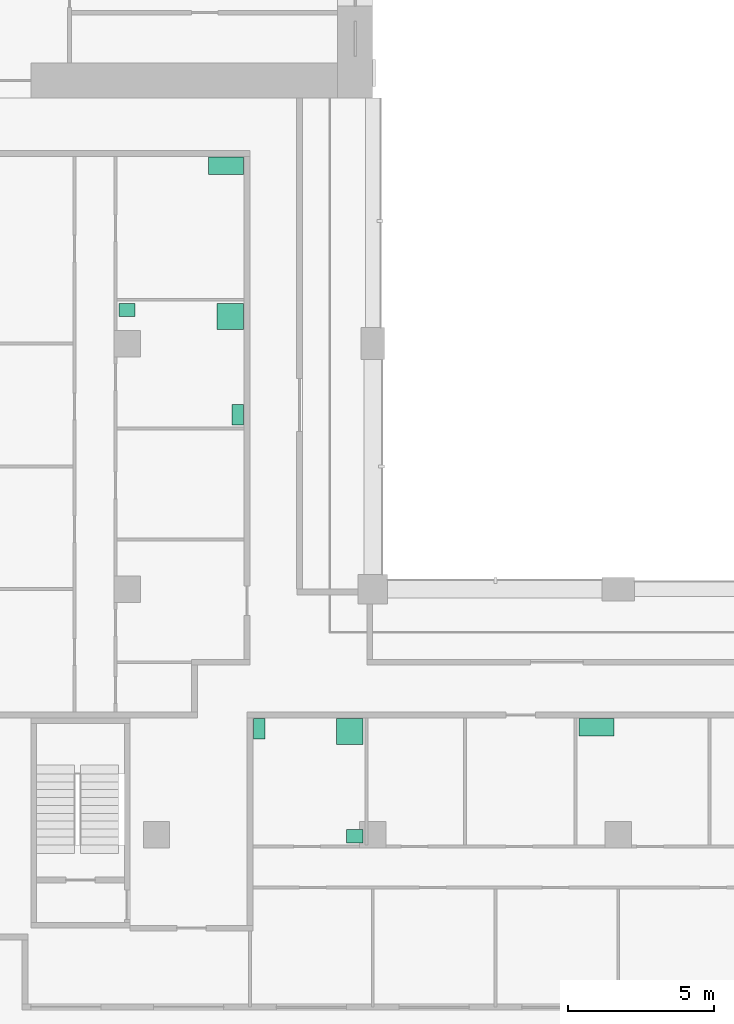
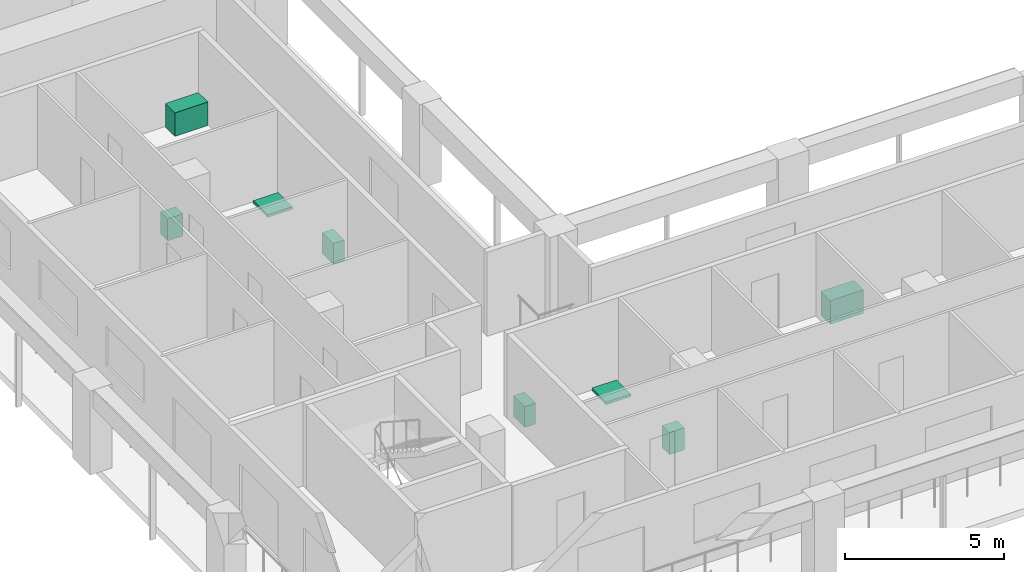
# One storey, part 9 of 9: 8 sanitary terminals.
"""IFC4 building model written with IfcOpenShell, lengths in metres."""

import ifcopenshell
import ifcopenshell.guid

model = None  # the IFC model being written
_history = None  # IfcOwnerHistory: only IFC2X3 demands one
_inside = {}  # id of a spatial element -> (the spatial element, [elements in it])
_under = {}  # id of a project, library or spatial element -> (it, [spatial elements below it])
_declared = {}  # id of a project -> (the project, [libraries it declares])
_typed = {}  # id of a type object -> (the type object, [elements of that type])
_made_of = {}  # id of a material, layer set ... -> (it, [elements and type objects made of it])


def new_model(schema):
    """Start an empty IFC model of exactly this schema.

    Asked for "IFC4X3", IfcOpenShell would pick the latest addendum, in which some entities
    have other attributes; the version numbers below select the first issue.
    IFC2X3 requires an IfcOwnerHistory on every rooted entity: one is made here for all.
    """
    global model, _history
    if schema == "IFC4X3":
        model = ifcopenshell.file(schema_version=(4, 3, 0, 0))
    else:
        model = ifcopenshell.file(schema=schema)
    _inside.clear()
    _under.clear()
    _declared.clear()
    _typed.clear()
    _made_of.clear()
    _history = None
    if model.schema == "IFC2X3":
        org = make("IfcOrganization", Name="unknown")
        user = make(
            "IfcPersonAndOrganization",
            ThePerson=make("IfcPerson", FamilyName="unknown"),
            TheOrganization=org,
        )
        app = make(
            "IfcApplication",
            ApplicationDeveloper=org,
            Version="unknown",
            ApplicationFullName="unknown",
            ApplicationIdentifier="unknown",
        )
        _history = make(
            "IfcOwnerHistory",
            OwningUser=user,
            OwningApplication=app,
            ChangeAction="ADDED",
            CreationDate=0,
        )
    return model


def make(cls, **values):
    """One entity of the class cls with the attributes given. An attribute that is None is left unset."""
    return model.create_entity(
        cls, **{name: value for name, value in values.items() if value is not None}
    )


def rooted(cls, **values):
    """An entity with a GlobalId (a new one), such as an element, a storey or a relation."""
    return make(cls, GlobalId=ifcopenshell.guid.new(), OwnerHistory=_history, **values)


def si_unit(unit_type, name, prefix=None):
    """IfcSIUnit, for example si_unit("LENGTHUNIT", "METRE", prefix="MILLI")."""
    return make("IfcSIUnit", UnitType=unit_type, Prefix=prefix, Name=name)


def assignment(units):
    """IfcUnitAssignment: the units of a project."""
    return None if units is None else make("IfcUnitAssignment", Units=units)


def point(xyz):
    """IfcCartesianPoint."""
    return None if xyz is None else make("IfcCartesianPoint", Coordinates=xyz)


def direction(xyz):
    """IfcDirection."""
    return None if xyz is None else make("IfcDirection", DirectionRatios=xyz)


def frame(location, z_axis=None, x_axis=None):
    """IfcAxis2Placement3D, a coordinate frame: its origin and axes. An axis left out is left unset."""
    return make(
        "IfcAxis2Placement3D",
        Location=point(location),
        Axis=direction(z_axis),
        RefDirection=direction(x_axis),
    )


def frame_2d(location, x_axis=None):
    """IfcAxis2Placement2D, a coordinate frame in the plane: its origin and x axis."""
    return make(
        "IfcAxis2Placement2D", Location=point(location), RefDirection=direction(x_axis)
    )


def origin():
    """The frame at (0, 0, 0) with its axes left unset."""
    return frame((0.0, 0.0, 0.0))


def origin_2d():
    """The frame at (0, 0) in the plane with its x axis left unset."""
    return frame_2d((0.0, 0.0))


def place(relative_to, where):
    """IfcLocalPlacement: puts the frame where relative to a parent placement (None: the world)."""
    return make(
        "IfcLocalPlacement", PlacementRelTo=relative_to, RelativePlacement=where
    )


def context(
    kind, dimensions, precision=None, world=None, true_north=None, identifier=None
):
    """IfcGeometricRepresentationContext, for example the 3D "Model" context."""
    return make(
        "IfcGeometricRepresentationContext",
        ContextIdentifier=identifier,
        ContextType=kind,
        CoordinateSpaceDimension=dimensions,
        Precision=precision,
        WorldCoordinateSystem=world,
        TrueNorth=true_north,
    )


def subcontext(parent, identifier, kind, view, scale=None):
    """IfcGeometricRepresentationSubContext, for example "Body" below "Model"."""
    return make(
        "IfcGeometricRepresentationSubContext",
        ContextIdentifier=identifier,
        ContextType=kind,
        ParentContext=parent,
        TargetScale=scale,
        TargetView=view,
    )


def project(units=None, contexts=None):
    """IfcProject with its units and contexts."""
    return rooted(
        "IfcProject",
        Name="project",
        RepresentationContexts=contexts,
        UnitsInContext=assignment(units),
    )


def spatial(cls, under=None, at=None, **own):
    """A site, building, storey or space (cls), placed at a placement, below another one or the project."""
    s = rooted(cls, ObjectPlacement=at, **own)
    if under is not None:
        _under.setdefault(under.id(), (under, []))[1].append(s)
    return s


def profile(cls, at=None, kind="AREA", **sizes):
    """A parametric profile (cls). Its sizes go by their IFC names, for example OverallWidth=200.0."""
    return make(cls, ProfileType=kind, Position=at, **sizes)


def rectangle(**sizes):
    """IfcRectangleProfileDef."""
    return profile("IfcRectangleProfileDef", **sizes)


def extrude(swept, where, along, depth):
    """IfcExtrudedAreaSolid: the profile swept, set in the frame where, extruded along a direction by depth."""
    return make(
        "IfcExtrudedAreaSolid",
        SweptArea=swept,
        Position=where,
        ExtrudedDirection=direction(along),
        Depth=depth,
    )


def shape(context_of_items, identifier, shape_type, items):
    """IfcShapeRepresentation: the items that make up one representation, for example the "Body"."""
    return make(
        "IfcShapeRepresentation",
        ContextOfItems=context_of_items,
        RepresentationIdentifier=identifier,
        RepresentationType=shape_type,
        Items=items,
    )


def material(Name=None, Category=None):
    """IfcMaterial."""
    return make("IfcMaterial", Name=Name, Category=Category)


def made_of(thing, what):
    """Note that an element or type object is made of a material, layer set ...; save() writes the relation."""
    if what is not None:
        _made_of.setdefault(what.id(), (what, []))[1].append(thing)
    return thing


def element(
    cls,
    number,
    at=None,
    inside=None,
    cuts=None,
    type_object=None,
    material=None,
    context=None,
    identifier="Body",
    shape_type=None,
    held_by="IfcProductDefinitionShape",
    body=None,
    shapes=None,
    **own,
):
    """One element of the class cls, such as IfcWall. Its Tag is "e" and its number.

    at: its placement. inside: the storey or other place that contains it. cuts: it is an
    opening in that element (IfcRelVoidsElement). A single representation is given by context,
    identifier, shape_type and body (its items); several are given by shapes. held_by: the class
    of the entity that holds the representations. save() writes the other relations.
    """
    e = rooted(cls, Tag="e%d" % number, ObjectPlacement=at, **own)
    if body is not None:
        shapes = [shape(context, identifier, shape_type, body)]
    if shapes is not None:
        e.Representation = make(held_by, Representations=shapes)
    if inside is not None:
        _inside.setdefault(inside.id(), (inside, []))[1].append(e)
    if cuts is not None:
        rooted(
            "IfcRelVoidsElement", RelatingBuildingElement=cuts, RelatedOpeningElement=e
        )
    if type_object is not None:
        _typed.setdefault(type_object.id(), (type_object, []))[1].append(e)
    return made_of(e, material)


def aggregate(whole, parts):
    """IfcRelAggregates: a whole, such as a stair, and the parts it consists of."""
    return rooted("IfcRelAggregates", RelatingObject=whole, RelatedObjects=parts)


def save(model, path):
    """Write the relations noted so far, then the file.

    IfcRelAggregates (storeys below a building ...), IfcRelContainedInSpatialStructure (elements
    in a storey), IfcRelDefinesByType, IfcRelAssociatesMaterial and IfcRelDeclares: one each for
    every whole, place, type object, material and project.
    """
    for whole, parts in _under.values():
        aggregate(whole, parts)
    for where, things in _inside.values():
        rooted(
            "IfcRelContainedInSpatialStructure",
            RelatedElements=things,
            RelatingStructure=where,
        )
    for kind, things in _typed.values():
        rooted("IfcRelDefinesByType", RelatedObjects=things, RelatingType=kind)
    for what, things in _made_of.values():
        rooted("IfcRelAssociatesMaterial", RelatedObjects=things, RelatingMaterial=what)
    for by, libraries in _declared.values():
        rooted("IfcRelDeclares", RelatingContext=by, RelatedDefinitions=libraries)
    model.write(path)


model = new_model("IFC4")

# Units and contexts
model_context = context("Model", 3, precision=1e-05, world=origin(), true_north=direction((0.0, 1.0)))
body_context = subcontext(model_context, "Body", "Model", "MODEL_VIEW")
ifc_project = project(units=[si_unit("LENGTHUNIT", "METRE"), si_unit("AREAUNIT", "SQUARE_METRE"), si_unit("VOLUMEUNIT", "CUBIC_METRE"), si_unit("PLANEANGLEUNIT", "RADIAN"), si_unit("MASSUNIT", "GRAM", prefix="KILO")], contexts=[model_context])

# Site, building, storey
site_placement = place(None, origin())
site = spatial("IfcSite", under=ifc_project, at=site_placement, CompositionType="ELEMENT")
building_placement = place(site_placement, origin())
building = spatial("IfcBuilding", under=site, at=building_placement, Name="Vermilion Gate Residences", CompositionType="ELEMENT")
storey_placement = place(building_placement, frame((0.0, 0.0, 245.699951171875)))
storey = spatial("IfcBuildingStorey", under=building, at=storey_placement, Name="L64", CompositionType="ELEMENT", Elevation=245.699951171875)

# Sanitary terminals
ifc_material_1 = material(Name="Vitreous china")
sanitary_terminal_1_placement = place(storey_placement, frame((24.409912109375, 20.330078125, 0.0), z_axis=(0.0, 0.0, 1.0), x_axis=(1.0, 0.0, 0.0)))
element("IfcSanitaryTerminal", 1, at=sanitary_terminal_1_placement, inside=storey, material=ifc_material_1, Name="Shower tray", PredefinedType="SHOWER", context=body_context, shape_type="SweptSolid", body=[
    extrude(rectangle(XDim=0.89990234375, YDim=0.89990234375, at=origin_2d()), origin(), (0.0, 0.0, 1.0), 0.10009765625),
])
sanitary_terminal_2_placement = place(storey_placement, frame((21.320068359375, 20.429931640625, 0.0), z_axis=(0.0, 0.0, 1.0), x_axis=(1.0, 0.0, 0.0)))
element("IfcSanitaryTerminal", 2, at=sanitary_terminal_2_placement, inside=storey, material=ifc_material_1, Name="Toilet", PredefinedType="TOILETPAN", context=body_context, shape_type="SweptSolid", body=[
    extrude(rectangle(XDim=0.39990234375, YDim=0.699951171875, at=origin_2d()), origin(), (0.0, 0.0, 1.0), 0.800048828125),
])
sanitary_terminal_3_placement = place(storey_placement, frame((24.5849609375, 16.7451171875, 0.0), z_axis=(0.0, 0.0, 1.0), x_axis=(1.0, 0.0, 0.0)))
element("IfcSanitaryTerminal", 3, at=sanitary_terminal_3_placement, inside=storey, material=ifc_material_1, Name="Wash basin", PredefinedType="WASHHANDBASIN", context=body_context, shape_type="SweptSolid", body=[
    extrude(rectangle(XDim=0.550048828125, YDim=0.449951171875, at=origin_2d()), origin(), (0.0, 0.0, 1.0), 0.85009765625),
])
ifc_material_2 = material(Name="Stainless steel", Category="steel")
sanitary_terminal_4_placement = place(storey_placement, frame((32.860107421875, 20.47998046875, 0.0), z_axis=(0.0, 0.0, 1.0), x_axis=(1.0, 0.0, 0.0)))
element("IfcSanitaryTerminal", 4, at=sanitary_terminal_4_placement, inside=storey, material=ifc_material_2, Name="Kitchen sink", PredefinedType="SINK", context=body_context, shape_type="SweptSolid", body=[
    extrude(rectangle(XDim=1.199951171875, YDim=0.60009765625, at=origin_2d()), origin(), (0.0, 0.0, 1.0), 0.89990234375),
])
sanitary_terminal_5_placement = place(storey_placement, frame((20.330078125, 34.530029296875, 0.0), z_axis=(0.0, 0.0, 1.0), x_axis=(1.0, 0.0, 0.0)))
element("IfcSanitaryTerminal", 5, at=sanitary_terminal_5_placement, inside=storey, material=ifc_material_1, Name="Shower tray", PredefinedType="SHOWER", context=body_context, shape_type="SweptSolid", body=[
    extrude(rectangle(XDim=0.89990234375, YDim=0.89990234375, at=origin_2d()), origin(), (0.0, 0.0, 1.0), 0.10009765625),
])
sanitary_terminal_6_placement = place(storey_placement, frame((20.580078125, 31.169921875, 0.0), z_axis=(0.0, 0.0, 1.0), x_axis=(1.0, 0.0, 0.0)))
element("IfcSanitaryTerminal", 6, at=sanitary_terminal_6_placement, inside=storey, material=ifc_material_1, Name="Toilet", PredefinedType="TOILETPAN", context=body_context, shape_type="SweptSolid", body=[
    extrude(rectangle(XDim=0.39990234375, YDim=0.699951171875, at=origin_2d()), origin(), (0.0, 0.0, 1.0), 0.800048828125),
])
sanitary_terminal_7_placement = place(storey_placement, frame((16.794921875, 34.7548828125, 0.0), z_axis=(0.0, 0.0, 1.0), x_axis=(1.0, 0.0, 0.0)))
element("IfcSanitaryTerminal", 7, at=sanitary_terminal_7_placement, inside=storey, material=ifc_material_1, Name="Wash basin", PredefinedType="WASHHANDBASIN", context=body_context, shape_type="SweptSolid", body=[
    extrude(rectangle(XDim=0.550048828125, YDim=0.449951171875, at=origin_2d()), origin(), (0.0, 0.0, 1.0), 0.85009765625),
])
sanitary_terminal_8_placement = place(storey_placement, frame((20.179931640625, 39.679931640625, 0.0), z_axis=(0.0, 0.0, 1.0), x_axis=(1.0, 0.0, 0.0)))
element("IfcSanitaryTerminal", 8, at=sanitary_terminal_8_placement, inside=storey, material=ifc_material_2, Name="Kitchen sink", PredefinedType="SINK", context=body_context, shape_type="SweptSolid", body=[
    extrude(rectangle(XDim=1.199951171875, YDim=0.60009765625, at=origin_2d()), origin(), (0.0, 0.0, 1.0), 0.89990234375),
])

save(model, "model.ifc")
